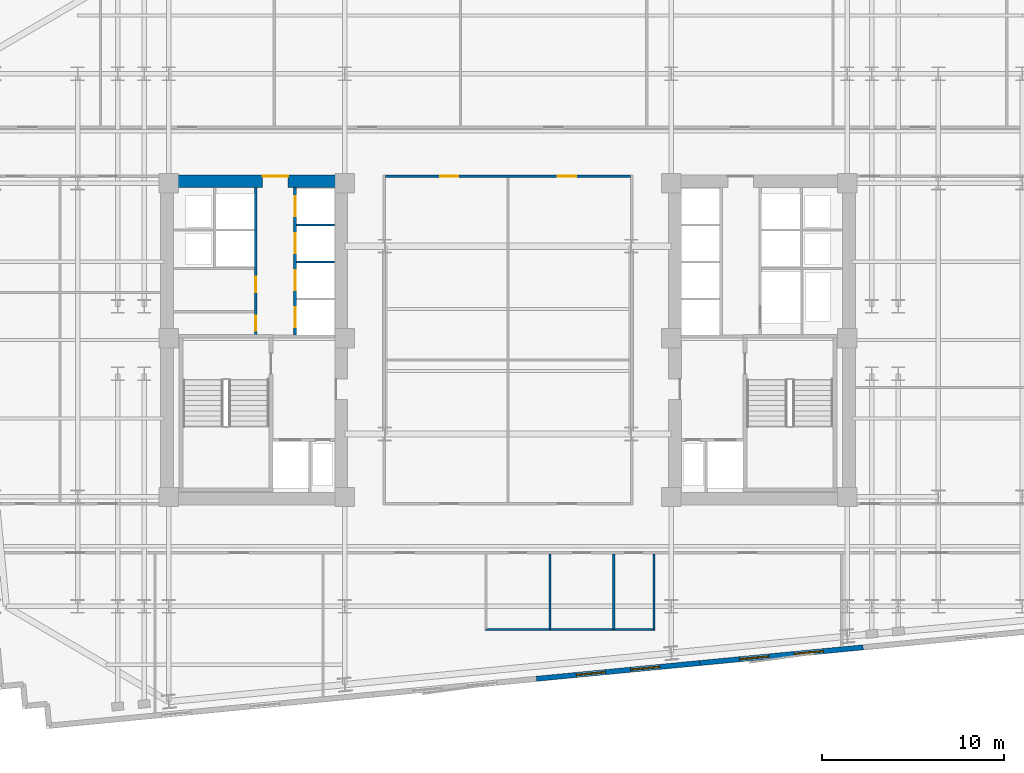
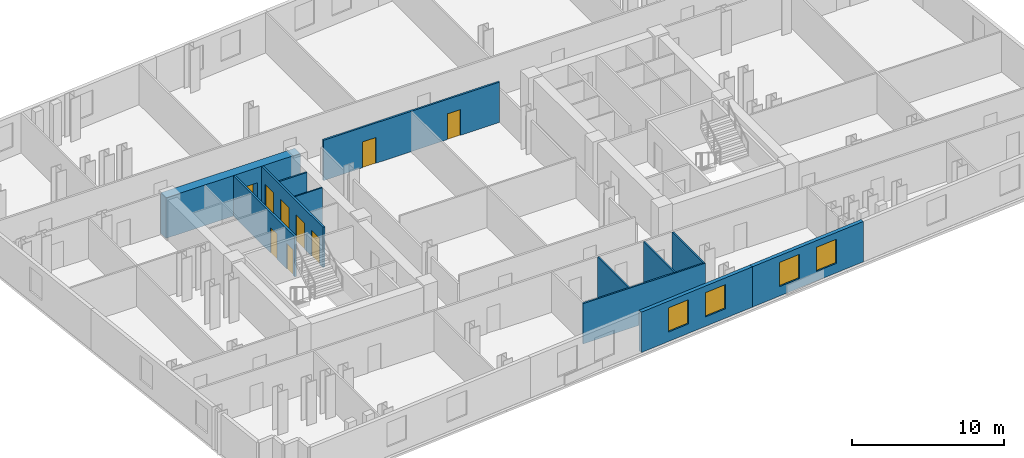
# One storey, part 5 of 11: 12 walls, 9 doors, 4 windows, 13 openings.
"""IFC4 building model written with IfcOpenShell, lengths in metres."""

from ifc_helpers import new_model, si_unit, direction, frame, frame_2d, origin, place, context, subcontext, project, spatial, rectangle, extrude, material, layer, layer_set, type_object, element, fill, save


model = new_model("IFC4")

# Units and contexts
model_context = context("Model", 3, precision=1e-05, world=origin(), true_north=direction((0.0, 1.0)))
body_context = subcontext(model_context, "Body", "Model", "MODEL_VIEW")
ifc_project = project(units=[si_unit("LENGTHUNIT", "METRE"), si_unit("AREAUNIT", "SQUARE_METRE"), si_unit("VOLUMEUNIT", "CUBIC_METRE"), si_unit("PLANEANGLEUNIT", "RADIAN"), si_unit("MASSUNIT", "GRAM", prefix="KILO")], contexts=[model_context])

# Site, building, storey
site_placement = place(None, origin())
site = spatial("IfcSite", under=ifc_project, at=site_placement, CompositionType="ELEMENT")
building_placement = place(site_placement, origin())
building = spatial("IfcBuilding", under=site, at=building_placement, Name="Velakula Bourse", CompositionType="ELEMENT")
storey_placement = place(building_placement, frame((0.0, 0.0, 105.25)))
storey = spatial("IfcBuildingStorey", under=building, at=storey_placement, Name="L28", CompositionType="ELEMENT", Elevation=105.25)

# Wall, opening, door
ifc_material_1 = material(Name="Concrete M70 (fck 70 MPa)", Category="concrete")
ifc_layer_1 = layer(ifc_material_1, 0.699951171875, Name="Concrete M70 (fck 70 MPa)", Category="concrete")
ifc_layer_set_1 = layer_set([ifc_layer_1], Name="Concrete M70 (fck 70 MPa)")
wall_type_1 = type_object("IfcWallType", Name="WL-CORE-700", PredefinedType="SHEAR", material=ifc_layer_set_1)
wall_1_placement = place(storey_placement, frame((-19.050048828125, 8.699951171875, 0.0), z_axis=(0.0, 0.0, 1.0), x_axis=(1.0, 0.0, 0.0)))
wall_1 = element("IfcWall", 1, at=wall_1_placement, inside=storey, type_object=wall_type_1, Name="L28 Core W Shear Wall N", PredefinedType="SHEAR", context=body_context, shape_type="SweptSolid", body=[
    extrude(rectangle(XDim=10.25, YDim=0.699951171875, at=frame_2d((5.125, 0.0))), origin(), (0.0, 0.0, 1.0), 3.27001953125),
])
opening_1_placement = place(wall_1_placement, frame((5.60009765625, 0.0, 0.0)))
opening_1 = element("IfcOpeningElement", 2, at=opening_1_placement, cuts=wall_1, Name="Opening D-LLW", PredefinedType="OPENING", context=body_context, shape_type="SweptSolid", body=[
    extrude(rectangle(XDim=1.39990234375, YDim=2.050048828125, at=frame_2d((0.699951171875, 1.02490234375))), frame((0.0, 0.35986328125, 0.0), z_axis=(0.0, -1.0, 0.0), x_axis=(1.0, 0.0, 0.0)), (0.0, 0.0, 1.0), 0.719970703125),
])
ifc_material_2 = material(Name="Fire-rated hardwood flush architectural door", Category="wood")
door_type_1 = type_object("IfcDoorType", Name="DR-DBL-FD60-1400", OperationType="DOUBLE_DOOR_SINGLE_SWING", PredefinedType="DOOR", material=ifc_material_2)
door_1_placement = place(opening_1_placement, origin())
door_1 = element("IfcDoor", 3, at=door_1_placement, inside=storey, type_object=door_type_1, Name="L28 Core W Lift Lobby Corridor Double Door", OperationType="DOUBLE_DOOR_SINGLE_SWING", OverallHeight=2.050048828125, OverallWidth=1.39990234375, PredefinedType="DOOR", context=body_context, shape_type="SweptSolid", body=[
    extrude(rectangle(XDim=1.39990234375, YDim=2.050048828125, at=frame_2d((0.699951171875, 1.02490234375))), frame((0.0, 0.294921875, 0.0), z_axis=(0.0, -1.0, 0.0), x_axis=(1.0, 0.0, 0.0)), (0.0, 0.0, 1.0), 0.050048828125),
])
fill(opening_1, door_1)

# Wall, openings, windows
ifc_material_3 = material(Name="Red kilned clay facing brick masonry", Category="masonry")
ifc_layer_2 = layer(ifc_material_3, 0.280029296875, Name="Red kilned clay facing brick masonry", Category="masonry")
ifc_layer_set_2 = layer_set([ifc_layer_2], Name="Red kilned clay facing brick masonry")
wall_type_2 = type_object("IfcWallType", Name="WL-EXT-BRK-280", PredefinedType="STANDARD", material=ifc_layer_set_2)
wall_2_placement = place(storey_placement, frame((10.51513671875, -17.7109375, 0.0), z_axis=(0.0, 0.0, 1.0), x_axis=(-0.995397043619, -0.095836973841, 0.0)))
wall_2 = element("IfcWall", 4, at=wall_2_placement, inside=storey, type_object=wall_type_2, Name="L28 S Brick Spandrel Wall B3", PredefinedType="STANDARD", context=body_context, shape_type="SweptSolid", body=[
    extrude(rectangle(XDim=9.000244140625, YDim=0.280029296875, at=frame_2d((4.5, 0.0))), origin(), (0.0, 0.0, 1.0), 3.25),
])
opening_2_placement = place(wall_2_placement, frame((2.199951171875, 0.0, 0.760009765625)))
opening_2 = element("IfcOpeningElement", 5, at=opening_2_placement, cuts=wall_2, Name="Opening W-02", PredefinedType="OPENING", context=body_context, shape_type="SweptSolid", body=[
    extrude(rectangle(XDim=1.60009765625, YDim=1.949951171875, at=frame_2d((0.800048828125, 0.97509765625))), frame((0.0, 0.14990234375, 0.0), z_axis=(0.0, -1.0, 0.0), x_axis=(1.0, 0.0, 0.0)), (0.0, 0.0, 1.0), 0.300048828125),
])
opening_3_placement = place(wall_2_placement, frame((5.199951171875, 0.0, 0.760009765625)))
opening_3 = element("IfcOpeningElement", 6, at=opening_3_placement, cuts=wall_2, Name="Opening W-02", PredefinedType="OPENING", context=body_context, shape_type="SweptSolid", body=[
    extrude(rectangle(XDim=1.60009765625, YDim=1.949951171875, at=frame_2d((0.800048828125, 0.97509765625))), frame((0.0, 0.14990234375, 0.0), z_axis=(0.0, -1.0, 0.0), x_axis=(1.0, 0.0, 0.0)), (0.0, 0.0, 1.0), 0.300048828125),
])
ifc_material_4 = material(Name="Double-glazed solar-control Low-E glass", Category="glass")
window_type = type_object("IfcWindowType", Name="WIN-TWR-1600x2100", PartitioningType="SINGLE_PANEL", PredefinedType="WINDOW", material=ifc_material_4)
window_1_placement = place(opening_2_placement, origin())
window_1 = element("IfcWindow", 7, at=window_1_placement, inside=storey, type_object=window_type, Name="L28 Deep-Set Recessed Window 1", OverallHeight=1.949951171875, OverallWidth=1.60009765625, PartitioningType="SINGLE_PANEL", PredefinedType="WINDOW", context=body_context, shape_type="SweptSolid", body=[
    extrude(rectangle(XDim=1.60009765625, YDim=1.949951171875, at=frame_2d((0.800048828125, 0.97509765625))), frame((0.0, 0.030029296875, 0.0), z_axis=(0.0, -1.0, 0.0), x_axis=(1.0, 0.0, 0.0)), (0.0, 0.0, 1.0), 0.06005859375),
])
fill(opening_2, window_1)
window_2_placement = place(opening_3_placement, origin())
window_2 = element("IfcWindow", 8, at=window_2_placement, inside=storey, type_object=window_type, Name="L28 Deep-Set Recessed Window 2", OverallHeight=1.949951171875, OverallWidth=1.60009765625, PartitioningType="SINGLE_PANEL", PredefinedType="WINDOW", context=body_context, shape_type="SweptSolid", body=[
    extrude(rectangle(XDim=1.60009765625, YDim=1.949951171875, at=frame_2d((0.800048828125, 0.97509765625))), frame((0.0, 0.030029296875, 0.0), z_axis=(0.0, -1.0, 0.0), x_axis=(1.0, 0.0, 0.0)), (0.0, 0.0, 1.0), 0.06005859375),
])
fill(opening_3, window_2)

wall_3_placement = place(storey_placement, frame((19.4736328125, -16.848388671875, 0.0), z_axis=(0.0, 0.0, 1.0), x_axis=(-0.995396794462, -0.09583956164, 0.0)))
wall_3 = element("IfcWall", 9, at=wall_3_placement, inside=storey, type_object=wall_type_2, Name="L28 S Brick Spandrel Wall B4", PredefinedType="STANDARD", context=body_context, shape_type="SweptSolid", body=[
    extrude(rectangle(XDim=9.0, YDim=0.280029296875, at=frame_2d((4.5, 0.0))), origin(), (0.0, 0.0, 1.0), 3.25),
])
opening_4_placement = place(wall_3_placement, frame((2.199951171875, 0.0, 0.760009765625)))
opening_4 = element("IfcOpeningElement", 10, at=opening_4_placement, cuts=wall_3, Name="Opening W-02", PredefinedType="OPENING", context=body_context, shape_type="SweptSolid", body=[
    extrude(rectangle(XDim=1.60009765625, YDim=1.949951171875, at=frame_2d((0.800048828125, 0.97509765625))), frame((0.0, 0.14990234375, 0.0), z_axis=(0.0, -1.0, 0.0), x_axis=(1.0, 0.0, 0.0)), (0.0, 0.0, 1.0), 0.300048828125),
])
opening_5_placement = place(wall_3_placement, frame((5.199951171875, 0.0, 0.760009765625)))
opening_5 = element("IfcOpeningElement", 11, at=opening_5_placement, cuts=wall_3, Name="Opening W-02", PredefinedType="OPENING", context=body_context, shape_type="SweptSolid", body=[
    extrude(rectangle(XDim=1.60009765625, YDim=1.949951171875, at=frame_2d((0.800048828125, 0.97509765625))), frame((0.0, 0.14990234375, 0.0), z_axis=(0.0, -1.0, 0.0), x_axis=(1.0, 0.0, 0.0)), (0.0, 0.0, 1.0), 0.300048828125),
])
window_3_placement = place(opening_4_placement, origin())
window_3 = element("IfcWindow", 12, at=window_3_placement, inside=storey, type_object=window_type, Name="L28 Deep-Set Recessed Window 1", OverallHeight=1.949951171875, OverallWidth=1.60009765625, PartitioningType="SINGLE_PANEL", PredefinedType="WINDOW", context=body_context, shape_type="SweptSolid", body=[
    extrude(rectangle(XDim=1.60009765625, YDim=1.949951171875, at=frame_2d((0.800048828125, 0.97509765625))), frame((0.0, 0.030029296875, 0.0), z_axis=(0.0, -1.0, 0.0), x_axis=(1.0, 0.0, 0.0)), (0.0, 0.0, 1.0), 0.06005859375),
])
fill(opening_4, window_3)
window_4_placement = place(opening_5_placement, origin())
window_4 = element("IfcWindow", 13, at=window_4_placement, inside=storey, type_object=window_type, Name="L28 Deep-Set Recessed Window 2", OverallHeight=1.949951171875, OverallWidth=1.60009765625, PartitioningType="SINGLE_PANEL", PredefinedType="WINDOW", context=body_context, shape_type="SweptSolid", body=[
    extrude(rectangle(XDim=1.60009765625, YDim=1.949951171875, at=frame_2d((0.800048828125, 0.97509765625))), frame((0.0, 0.030029296875, 0.0), z_axis=(0.0, -1.0, 0.0), x_axis=(1.0, 0.0, 0.0)), (0.0, 0.0, 1.0), 0.06005859375),
])
fill(opening_5, window_4)

# Walls
ifc_material_5 = material(Name="Fire-rated double-layer gypsum drywall partition", Category="gypsum")
ifc_layer_3 = layer(ifc_material_5, 0.1201171875, Name="Fire-rated double-layer gypsum drywall partition", Category="gypsum")
ifc_layer_set_3 = layer_set([ifc_layer_3], Name="Fire-rated double-layer gypsum drywall partition")
wall_type_3 = type_object("IfcWallType", Name="WL-PART-120", PredefinedType="STANDARD", material=ifc_layer_set_3)
for number, where, z_axis, x_axis, name in (
    (14, (-11.60009765625, 4.284912109375, 0.0), (0.0, 0.0, 1.0), (1.0, 0.0, 0.0), "L28 Interior Partition WL-CRW-L28-BDIV-1"),
    (15, (-11.60009765625, 6.31494140625, 0.0), (0.0, 0.0, 1.0), (1.0, 0.0, 0.0), "L28 Interior Partition WL-CRW-L28-BDIV-2"),
):
    element("IfcWall", number, at=place(storey_placement, frame(where, z_axis=z_axis, x_axis=x_axis)), inside=storey, type_object=wall_type_3, Name=name, PredefinedType="STANDARD", context=body_context, shape_type="SweptSolid", body=[
        extrude(rectangle(XDim=2.10009765625, YDim=0.110107421875, at=frame_2d((1.050048828125, 0.0))), origin(), (0.0, 0.0, 1.0), 3.25),
    ])
wall_4_placement = place(storey_placement, frame((-1.260009765625, -15.8701171875, 0.0), z_axis=(0.0, 0.0, 1.0), x_axis=(1.0, 0.0, 0.0)))
element("IfcWall", 16, at=wall_4_placement, inside=storey, type_object=wall_type_3, Name="L28 Interior Partition WL-WC-L28-BACK", PredefinedType="STANDARD", context=body_context, shape_type="SweptSolid", body=[
    extrude(rectangle(XDim=9.320068359375, YDim=0.1201171875, at=frame_2d((4.66015625, 0.0))), origin(), (0.0, 0.0, 1.0), 3.25),
])
for number, where, z_axis, x_axis, name in (
    (17, (2.300048828125, -15.8701171875, 0.0), (0.0, 0.0, 1.0), (0.0, 1.0, 0.0), "L28 Interior Partition WL-WC-L28-V2"),
    (18, (5.800048828125, -15.8701171875, 0.0), (0.0, 0.0, 1.0), (0.0, 1.0, 0.0), "L28 Interior Partition WL-WC-L28-V3"),
    (19, (8.0, -15.8701171875, 0.0), (0.0, 0.0, 1.0), (0.0, 1.0, 0.0), "L28 Interior Partition WL-WC-L28-V4"),
):
    element("IfcWall", number, at=place(storey_placement, frame(where, z_axis=z_axis, x_axis=x_axis)), inside=storey, type_object=wall_type_3, Name=name, PredefinedType="STANDARD", context=body_context, shape_type="SweptSolid", body=[
        extrude(rectangle(XDim=4.130126953125, YDim=0.1201171875, at=frame_2d((2.06494140625, 0.0))), origin(), (0.0, 0.0, 1.0), 3.25),
    ])

# Wall, openings, doors
ifc_layer_4 = layer(ifc_material_5, 0.139892578125, Name="Fire-rated double-layer gypsum drywall partition", Category="gypsum")
ifc_layer_set_4 = layer_set([ifc_layer_4], Name="Fire-rated double-layer gypsum drywall partition")
wall_type_4 = type_object("IfcWallType", Name="WL-PART-140", PredefinedType="STANDARD", material=ifc_layer_set_4)
wall_5_placement = place(storey_placement, frame((-6.7099609375, 8.97998046875, 0.0), z_axis=(0.0, 0.0, 1.0), x_axis=(1.0, 0.0, 0.0)))
wall_5 = element("IfcWall", 20, at=wall_5_placement, inside=storey, type_object=wall_type_4, Name="L28 Interior Partition WL-INT-L28-MID-N", PredefinedType="STANDARD", context=body_context, shape_type="SweptSolid", body=[
    extrude(rectangle(XDim=13.419921875, YDim=0.139892578125, at=frame_2d((6.7099609375, 0.0))), origin(), (0.0, 0.0, 1.0), 3.25),
])
opening_6_placement = place(wall_5_placement, frame((2.98095703125, 0.0, 0.0)))
opening_6 = element("IfcOpeningElement", 21, at=opening_6_placement, cuts=wall_5, Name="Opening D-OF1", PredefinedType="OPENING", context=body_context, shape_type="SweptSolid", body=[
    extrude(rectangle(XDim=1.0, YDim=2.080078125, at=frame_2d((0.5, 1.0400390625))), frame((0.0, 0.079833984375, 0.0), z_axis=(0.0, -1.0, 0.0), x_axis=(1.0, 0.0, 0.0)), (0.0, 0.0, 1.0), 0.159912109375),
])
opening_7_placement = place(wall_5_placement, frame((9.43896484375, 0.0, 0.0)))
opening_7 = element("IfcOpeningElement", 22, at=opening_7_placement, cuts=wall_5, Name="Opening D-OF1", PredefinedType="OPENING", context=body_context, shape_type="SweptSolid", body=[
    extrude(rectangle(XDim=1.0, YDim=2.080078125, at=frame_2d((0.5, 1.0400390625))), frame((0.0, 0.079833984375, 0.0), z_axis=(0.0, -1.0, 0.0), x_axis=(1.0, 0.0, 0.0)), (0.0, 0.0, 1.0), 0.159912109375),
])
door_type_2 = type_object("IfcDoorType", Name="DR-OFF-1000", OperationType="NOTDEFINED", PredefinedType="DOOR", material=ifc_material_2)
door_2_placement = place(opening_6_placement, origin())
door_2 = element("IfcDoor", 23, at=door_2_placement, inside=storey, type_object=door_type_2, Name="L28 Exchange Governance Office NW Door", OperationType="SINGLE_SWING_LEFT", OverallHeight=2.080078125, OverallWidth=1.0, PredefinedType="DOOR", context=body_context, shape_type="SweptSolid", body=[
    extrude(rectangle(XDim=1.0, YDim=2.080078125, at=frame_2d((0.5, 1.0400390625))), frame((0.0, 0.02490234375, 0.0), z_axis=(0.0, -1.0, 0.0), x_axis=(1.0, 0.0, 0.0)), (0.0, 0.0, 1.0), 0.050048828125),
])
fill(opening_6, door_2)
door_3_placement = place(opening_7_placement, origin())
door_3 = element("IfcDoor", 24, at=door_3_placement, inside=storey, type_object=door_type_2, Name="L28 Exchange Governance Office NE Door", OperationType="SINGLE_SWING_RIGHT", OverallHeight=2.080078125, OverallWidth=1.0, PredefinedType="DOOR", context=body_context, shape_type="SweptSolid", body=[
    extrude(rectangle(XDim=1.0, YDim=2.080078125, at=frame_2d((0.5, 1.0400390625))), frame((0.0, 0.02490234375, 0.0), z_axis=(0.0, -1.0, 0.0), x_axis=(1.0, 0.0, 0.0)), (0.0, 0.0, 1.0), 0.050048828125),
])
fill(opening_7, door_3)

ifc_material_6 = material(Name="Autoclaved aerated concrete blockwork masonry", Category="masonry")
ifc_layer_5 = layer(ifc_material_6, 0.14990234375, Name="Autoclaved aerated concrete blockwork masonry", Category="masonry")
ifc_layer_set_5 = layer_set([ifc_layer_5], Name="Autoclaved aerated concrete blockwork masonry")
wall_type_5 = type_object("IfcWallType", Name="WL-SHAFT-150", PredefinedType="STANDARD", material=ifc_layer_set_5)
wall_6_placement = place(storey_placement, frame((-11.675048828125, 0.27001953125, 0.0), z_axis=(0.0, 0.0, 1.0), x_axis=(0.0, 1.0, 0.0)))
wall_6 = element("IfcWall", 25, at=wall_6_placement, inside=storey, type_object=wall_type_5, Name="L28 Interior Partition WL-CRW-L28-BANK-F", PredefinedType="STANDARD", context=body_context, shape_type="SweptSolid", body=[
    extrude(rectangle(XDim=8.080078125, YDim=0.14990234375, at=frame_2d((4.0400390625, 0.0))), origin(), (0.0, 0.0, 1.0), 3.25),
])
opening_8_placement = place(wall_6_placement, frame((0.419921875, 0.0, 0.0)))
opening_8 = element("IfcOpeningElement", 26, at=opening_8_placement, cuts=wall_6, Name="Opening LD-P1", PredefinedType="OPENING", context=body_context, shape_type="SweptSolid", body=[
    extrude(rectangle(XDim=1.10009765625, YDim=2.10009765625, at=frame_2d((0.550048828125, 1.050048828125))), frame((0.0, 0.0849609375, 0.0), z_axis=(0.0, -1.0, 0.0), x_axis=(1.0, 0.0, 0.0)), (0.0, 0.0, 1.0), 0.169921875),
])
opening_9_placement = place(wall_6_placement, frame((2.449951171875, 0.0, 0.0)))
opening_9 = element("IfcOpeningElement", 27, at=opening_9_placement, cuts=wall_6, Name="Opening LD-P2", PredefinedType="OPENING", context=body_context, shape_type="SweptSolid", body=[
    extrude(rectangle(XDim=1.10009765625, YDim=2.10009765625, at=frame_2d((0.550048828125, 1.050048828125))), frame((0.0, 0.0849609375, 0.0), z_axis=(0.0, -1.0, 0.0), x_axis=(1.0, 0.0, 0.0)), (0.0, 0.0, 1.0), 0.169921875),
])
opening_10_placement = place(wall_6_placement, frame((4.47998046875, 0.0, 0.0)))
opening_10 = element("IfcOpeningElement", 28, at=opening_10_placement, cuts=wall_6, Name="Opening LD-P3", PredefinedType="OPENING", context=body_context, shape_type="SweptSolid", body=[
    extrude(rectangle(XDim=1.10009765625, YDim=2.10009765625, at=frame_2d((0.550048828125, 1.050048828125))), frame((0.0, 0.0849609375, 0.0), z_axis=(0.0, -1.0, 0.0), x_axis=(1.0, 0.0, 0.0)), (0.0, 0.0, 1.0), 0.169921875),
])
opening_11_placement = place(wall_6_placement, frame((6.510009765625, 0.0, 0.0)))
opening_11 = element("IfcOpeningElement", 29, at=opening_11_placement, cuts=wall_6, Name="Opening LD-P4", PredefinedType="OPENING", context=body_context, shape_type="SweptSolid", body=[
    extrude(rectangle(XDim=1.10009765625, YDim=2.10009765625, at=frame_2d((0.550048828125, 1.050048828125))), frame((0.0, 0.0849609375, 0.0), z_axis=(0.0, -1.0, 0.0), x_axis=(1.0, 0.0, 0.0)), (0.0, 0.0, 1.0), 0.169921875),
])
ifc_material_7 = material(Name="Brushed grade 316 stainless steel", Category="steel")
door_type_3 = type_object("IfcDoorType", Name="DR-SLIDE-LD-1100", OperationType="DOUBLE_DOOR_SLIDING", PredefinedType="DOOR", material=ifc_material_7)
door_4_placement = place(opening_8_placement, origin())
door_4 = element("IfcDoor", 30, at=door_4_placement, inside=storey, type_object=door_type_3, Name="L28 Passenger Lift P1 Sliding Landing Door", OperationType="DOUBLE_DOOR_SLIDING", OverallHeight=2.10009765625, OverallWidth=1.10009765625, PredefinedType="DOOR", context=body_context, shape_type="SweptSolid", body=[
    extrude(rectangle(XDim=1.10009765625, YDim=2.10009765625, at=frame_2d((0.550048828125, 1.050048828125))), frame((0.0, 0.02490234375, 0.0), z_axis=(0.0, -1.0, 0.0), x_axis=(1.0, 0.0, 0.0)), (0.0, 0.0, 1.0), 0.050048828125),
])
fill(opening_8, door_4)
door_5_placement = place(opening_9_placement, origin())
door_5 = element("IfcDoor", 31, at=door_5_placement, inside=storey, type_object=door_type_3, Name="L28 Passenger Lift P2 Sliding Landing Door", OperationType="DOUBLE_DOOR_SLIDING", OverallHeight=2.10009765625, OverallWidth=1.10009765625, PredefinedType="DOOR", context=body_context, shape_type="SweptSolid", body=[
    extrude(rectangle(XDim=1.10009765625, YDim=2.10009765625, at=frame_2d((0.550048828125, 1.050048828125))), frame((0.0, 0.02490234375, 0.0), z_axis=(0.0, -1.0, 0.0), x_axis=(1.0, 0.0, 0.0)), (0.0, 0.0, 1.0), 0.050048828125),
])
fill(opening_9, door_5)
door_6_placement = place(opening_10_placement, origin())
door_6 = element("IfcDoor", 32, at=door_6_placement, inside=storey, type_object=door_type_3, Name="L28 Passenger Lift P3 Sliding Landing Door", OperationType="DOUBLE_DOOR_SLIDING", OverallHeight=2.10009765625, OverallWidth=1.10009765625, PredefinedType="DOOR", context=body_context, shape_type="SweptSolid", body=[
    extrude(rectangle(XDim=1.10009765625, YDim=2.10009765625, at=frame_2d((0.550048828125, 1.050048828125))), frame((0.0, 0.02490234375, 0.0), z_axis=(0.0, -1.0, 0.0), x_axis=(1.0, 0.0, 0.0)), (0.0, 0.0, 1.0), 0.050048828125),
])
fill(opening_10, door_6)
door_7_placement = place(opening_11_placement, origin())
door_7 = element("IfcDoor", 33, at=door_7_placement, inside=storey, type_object=door_type_3, Name="L28 Passenger Lift P4 Sliding Landing Door", OperationType="DOUBLE_DOOR_SLIDING", OverallHeight=2.10009765625, OverallWidth=1.10009765625, PredefinedType="DOOR", context=body_context, shape_type="SweptSolid", body=[
    extrude(rectangle(XDim=1.10009765625, YDim=2.10009765625, at=frame_2d((0.550048828125, 1.050048828125))), frame((0.0, 0.02490234375, 0.0), z_axis=(0.0, -1.0, 0.0), x_axis=(1.0, 0.0, 0.0)), (0.0, 0.0, 1.0), 0.050048828125),
])
fill(opening_11, door_7)

wall_7_placement = place(storey_placement, frame((-13.824951171875, 0.27001953125, 0.0), z_axis=(0.0, 0.0, 1.0), x_axis=(0.0, 1.0, 0.0)))
wall_7 = element("IfcWall", 34, at=wall_7_placement, inside=storey, type_object=wall_type_5, Name="L28 Interior Partition WL-CRW-L28-OUT-F", PredefinedType="STANDARD", context=body_context, shape_type="SweptSolid", body=[
    extrude(rectangle(XDim=8.080078125, YDim=0.14990234375, at=frame_2d((4.0400390625, 0.0))), origin(), (0.0, 0.0, 1.0), 3.25),
])
opening_12_placement = place(wall_7_placement, frame((0.25, 0.0, 0.0)))
opening_12 = element("IfcOpeningElement", 35, at=opening_12_placement, cuts=wall_7, Name="Opening D-CS1", PredefinedType="OPENING", context=body_context, shape_type="SweptSolid", body=[
    extrude(rectangle(XDim=0.800048828125, YDim=2.050048828125, at=frame_2d((0.39990234375, 1.02490234375))), frame((0.0, 0.0849609375, 0.0), z_axis=(0.0, -1.0, 0.0), x_axis=(1.0, 0.0, 0.0)), (0.0, 0.0, 1.0), 0.169921875),
])
opening_13_placement = place(wall_7_placement, frame((2.35009765625, 0.0, 0.0)))
opening_13 = element("IfcOpeningElement", 36, at=opening_13_placement, cuts=wall_7, Name="Opening D-CW1", PredefinedType="OPENING", context=body_context, shape_type="SweptSolid", body=[
    extrude(rectangle(XDim=0.85009765625, YDim=2.050048828125, at=frame_2d((0.425048828125, 1.02490234375))), frame((0.0, 0.0849609375, 0.0), z_axis=(0.0, -1.0, 0.0), x_axis=(1.0, 0.0, 0.0)), (0.0, 0.0, 1.0), 0.169921875),
])
door_type_4 = type_object("IfcDoorType", Name="DR-INT-850", OperationType="NOTDEFINED", PredefinedType="DOOR", material=ifc_material_2)
door_8_placement = place(opening_13_placement, origin())
door_8 = element("IfcDoor", 37, at=door_8_placement, inside=storey, type_object=door_type_4, Name="L28 Core Janitor Closet Door", OperationType="SINGLE_SWING_RIGHT", OverallHeight=2.050048828125, OverallWidth=0.85009765625, PredefinedType="DOOR", context=body_context, shape_type="SweptSolid", body=[
    extrude(rectangle(XDim=0.85009765625, YDim=2.050048828125, at=frame_2d((0.425048828125, 1.02490234375))), frame((0.0, 0.02490234375, 0.0), z_axis=(0.0, -1.0, 0.0), x_axis=(1.0, 0.0, 0.0)), (0.0, 0.0, 1.0), 0.050048828125),
])
fill(opening_13, door_8)
ifc_material_8 = material(Name="Galvanised painted hollow steel fire door", Category="steel")
door_type_5 = type_object("IfcDoorType", Name="DR-RISER-800x2050", OperationType="NOTDEFINED", PredefinedType="DOOR", material=ifc_material_8)
door_9_placement = place(opening_12_placement, origin())
door_9 = element("IfcDoor", 38, at=door_9_placement, inside=storey, type_object=door_type_5, Name="L28 Core Cleaner Store Door", OperationType="SINGLE_SWING_LEFT", OverallHeight=2.050048828125, OverallWidth=0.800048828125, PredefinedType="DOOR", context=body_context, shape_type="SweptSolid", body=[
    extrude(rectangle(XDim=0.800048828125, YDim=2.050048828125, at=frame_2d((0.39990234375, 1.02490234375))), frame((0.0, 0.02490234375, 0.0), z_axis=(0.0, -1.0, 0.0), x_axis=(1.0, 0.0, 0.0)), (0.0, 0.0, 1.0), 0.050048828125),
])
fill(opening_12, door_9)

save(model, "model.ifc")
